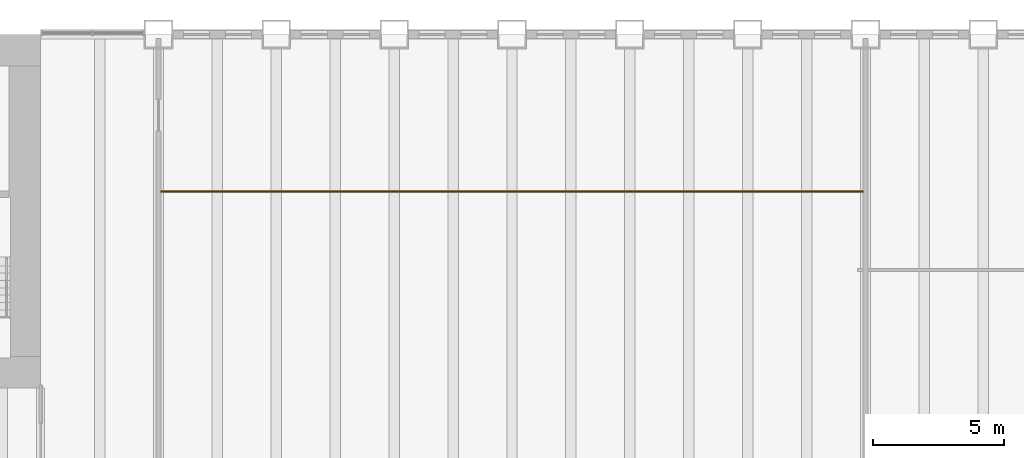
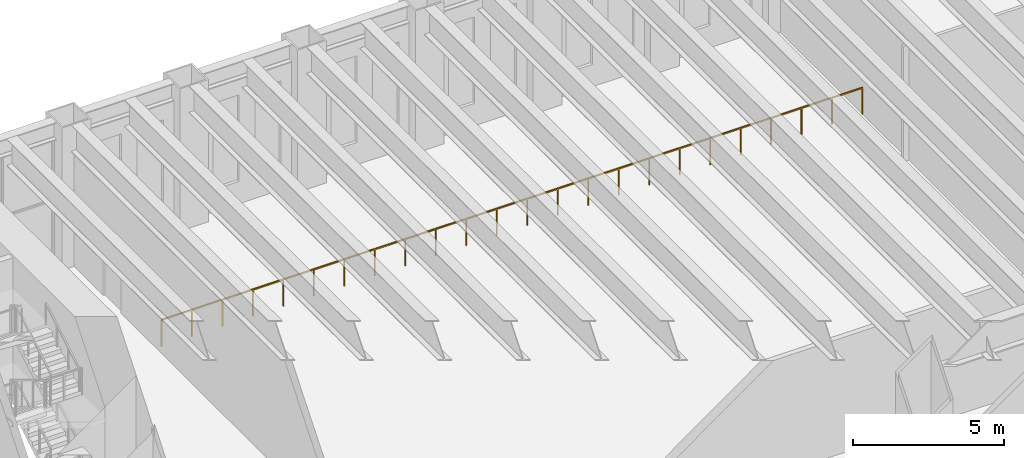
# One storey, part 19 of 19: 1 railing.
"""IFC4 building model written with IfcOpenShell, lengths in metres."""

from ifc_helpers import new_model, si_unit, direction, frame, origin, origin_2d, place, context, subcontext, project, spatial, rectangle, extrude, material, type_object, element, save


model = new_model("IFC4")

# Units and contexts
model_context = context("Model", 3, precision=1e-05, world=origin(), true_north=direction((0.0, 1.0)))
body_context = subcontext(model_context, "Body", "Model", "MODEL_VIEW")
ifc_project = project(units=[si_unit("LENGTHUNIT", "METRE"), si_unit("AREAUNIT", "SQUARE_METRE"), si_unit("VOLUMEUNIT", "CUBIC_METRE"), si_unit("PLANEANGLEUNIT", "RADIAN"), si_unit("MASSUNIT", "GRAM", prefix="KILO")], contexts=[model_context])

# Site, building, storey
site_placement = place(None, origin())
site = spatial("IfcSite", under=ifc_project, at=site_placement, CompositionType="ELEMENT")
building_placement = place(site_placement, origin())
building = spatial("IfcBuilding", under=site, at=building_placement, Name="Sennacour Bend Tower", CompositionType="ELEMENT")
storey_placement = place(building_placement, frame((0.0, 0.0, 8.0)))
storey = spatial("IfcBuildingStorey", under=building, at=storey_placement, Name="L01", CompositionType="ELEMENT", Elevation=8.0)

# Railing
ifc_material = material(Name="Stainless steel", Category="steel")
railing_type = type_object("IfcRailingType", Name="RL-GUARD-1100", PredefinedType="GUARDRAIL", material=ifc_material)
railing_placement = place(storey_placement, frame((27.10009765625, 43.5, 0.0)))
element("IfcRailing", 1, at=railing_placement, inside=storey, type_object=railing_type, Name="L01 auditorium tier guard", PredefinedType="GUARDRAIL", context=body_context, shape_type="SweptSolid", body=[
    extrude(rectangle(XDim=0.048095703125, YDim=0.048095703125, at=origin_2d()), frame((0.0, 0.0, 1.076171875), z_axis=(1.0, 0.0, 0.0), x_axis=(0.0, 1.0, 0.0)), (0.0, 0.0, 1.0), 26.7998046875),
    extrude(rectangle(XDim=0.0419921875, YDim=0.0419921875, at=origin_2d()), origin(), (0.0, 0.0, 1.0), 1.052001953125),
    extrude(rectangle(XDim=0.0419921875, YDim=0.0419921875, at=origin_2d()), frame((1.165283203125, 0.0, 0.0)), (0.0, 0.0, 1.0), 1.052001953125),
    extrude(rectangle(XDim=0.0419921875, YDim=0.0419921875, at=origin_2d()), frame((2.330322265625, 0.0, 0.0)), (0.0, 0.0, 1.0), 1.052001953125),
    extrude(rectangle(XDim=0.0419921875, YDim=0.0419921875, at=origin_2d()), frame((3.49560546875, 0.0, 0.0)), (0.0, 0.0, 1.0), 1.052001953125),
    extrude(rectangle(XDim=0.0419921875, YDim=0.0419921875, at=origin_2d()), frame((4.660888671875, 0.0, 0.0)), (0.0, 0.0, 1.0), 1.052001953125),
    extrude(rectangle(XDim=0.0419921875, YDim=0.0419921875, at=origin_2d()), frame((5.825927734375, 0.0, 0.0)), (0.0, 0.0, 1.0), 1.052001953125),
    extrude(rectangle(XDim=0.0419921875, YDim=0.0419921875, at=origin_2d()), frame((6.9912109375, 0.0, 0.0)), (0.0, 0.0, 1.0), 1.052001953125),
    extrude(rectangle(XDim=0.0419921875, YDim=0.0419921875, at=origin_2d()), frame((8.156494140625, 0.0, 0.0)), (0.0, 0.0, 1.0), 1.052001953125),
    extrude(rectangle(XDim=0.0419921875, YDim=0.0419921875, at=origin_2d()), frame((9.32177734375, 0.0, 0.0)), (0.0, 0.0, 1.0), 1.052001953125),
    extrude(rectangle(XDim=0.0419921875, YDim=0.0419921875, at=origin_2d()), frame((10.48681640625, 0.0, 0.0)), (0.0, 0.0, 1.0), 1.052001953125),
    extrude(rectangle(XDim=0.0419921875, YDim=0.0419921875, at=origin_2d()), frame((11.652099609375, 0.0, 0.0)), (0.0, 0.0, 1.0), 1.052001953125),
    extrude(rectangle(XDim=0.0419921875, YDim=0.0419921875, at=origin_2d()), frame((12.8173828125, 0.0, 0.0)), (0.0, 0.0, 1.0), 1.052001953125),
    extrude(rectangle(XDim=0.0419921875, YDim=0.0419921875, at=origin_2d()), frame((13.982421875, 0.0, 0.0)), (0.0, 0.0, 1.0), 1.052001953125),
    extrude(rectangle(XDim=0.0419921875, YDim=0.0419921875, at=origin_2d()), frame((15.147705078125, 0.0, 0.0)), (0.0, 0.0, 1.0), 1.052001953125),
    extrude(rectangle(XDim=0.0419921875, YDim=0.0419921875, at=origin_2d()), frame((16.31298828125, 0.0, 0.0)), (0.0, 0.0, 1.0), 1.052001953125),
    extrude(rectangle(XDim=0.0419921875, YDim=0.0419921875, at=origin_2d()), frame((17.47802734375, 0.0, 0.0)), (0.0, 0.0, 1.0), 1.052001953125),
    extrude(rectangle(XDim=0.0419921875, YDim=0.0419921875, at=origin_2d()), frame((18.643310546875, 0.0, 0.0)), (0.0, 0.0, 1.0), 1.052001953125),
    extrude(rectangle(XDim=0.0419921875, YDim=0.0419921875, at=origin_2d()), frame((19.80859375, 0.0, 0.0)), (0.0, 0.0, 1.0), 1.052001953125),
    extrude(rectangle(XDim=0.0419921875, YDim=0.0419921875, at=origin_2d()), frame((20.973876953125, 0.0, 0.0)), (0.0, 0.0, 1.0), 1.052001953125),
    extrude(rectangle(XDim=0.0419921875, YDim=0.0419921875, at=origin_2d()), frame((22.138916015625, 0.0, 0.0)), (0.0, 0.0, 1.0), 1.052001953125),
    extrude(rectangle(XDim=0.0419921875, YDim=0.0419921875, at=origin_2d()), frame((23.30419921875, 0.0, 0.0)), (0.0, 0.0, 1.0), 1.052001953125),
    extrude(rectangle(XDim=0.0419921875, YDim=0.0419921875, at=origin_2d()), frame((24.469482421875, 0.0, 0.0)), (0.0, 0.0, 1.0), 1.052001953125),
    extrude(rectangle(XDim=0.0419921875, YDim=0.0419921875, at=origin_2d()), frame((25.634521484375, 0.0, 0.0)), (0.0, 0.0, 1.0), 1.052001953125),
    extrude(rectangle(XDim=0.0419921875, YDim=0.0419921875, at=origin_2d()), frame((26.7998046875, 0.0, 0.0)), (0.0, 0.0, 1.0), 1.052001953125),
])

save(model, "model.ifc")
